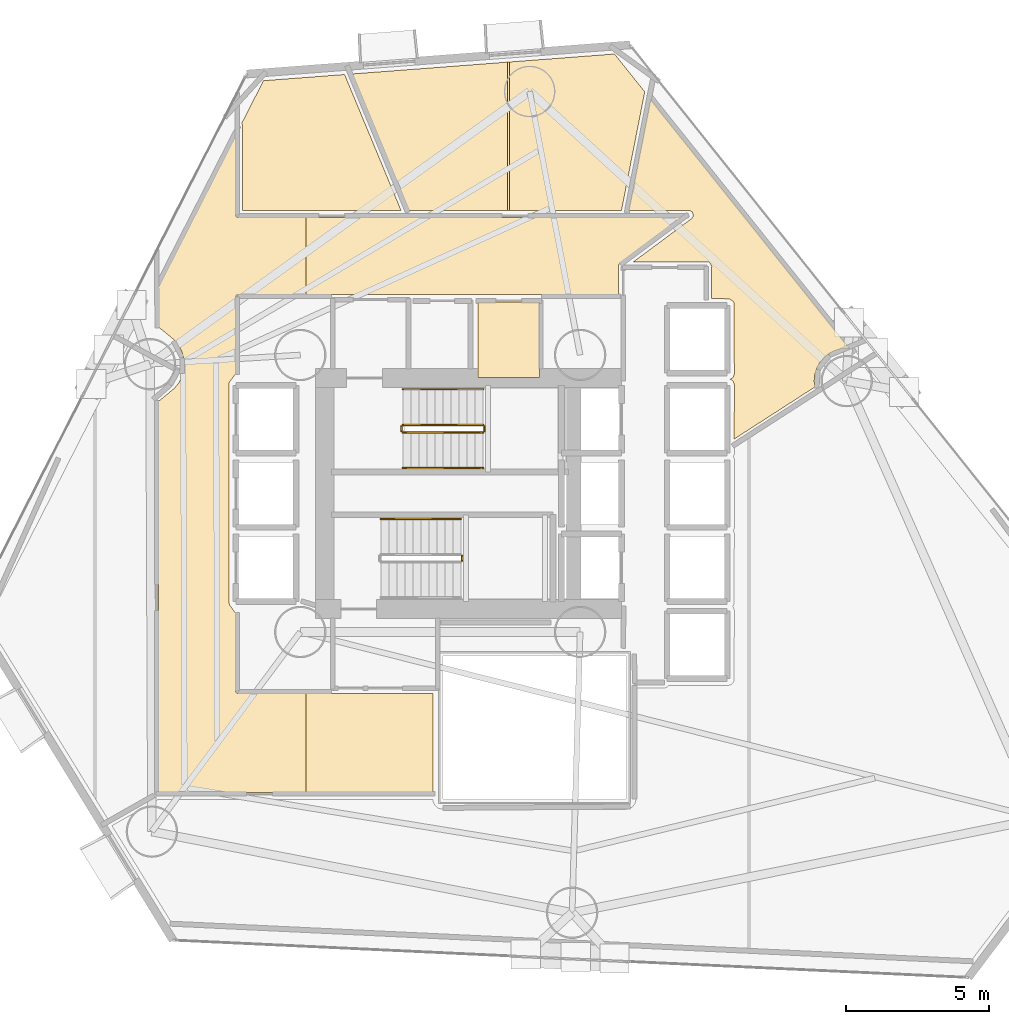
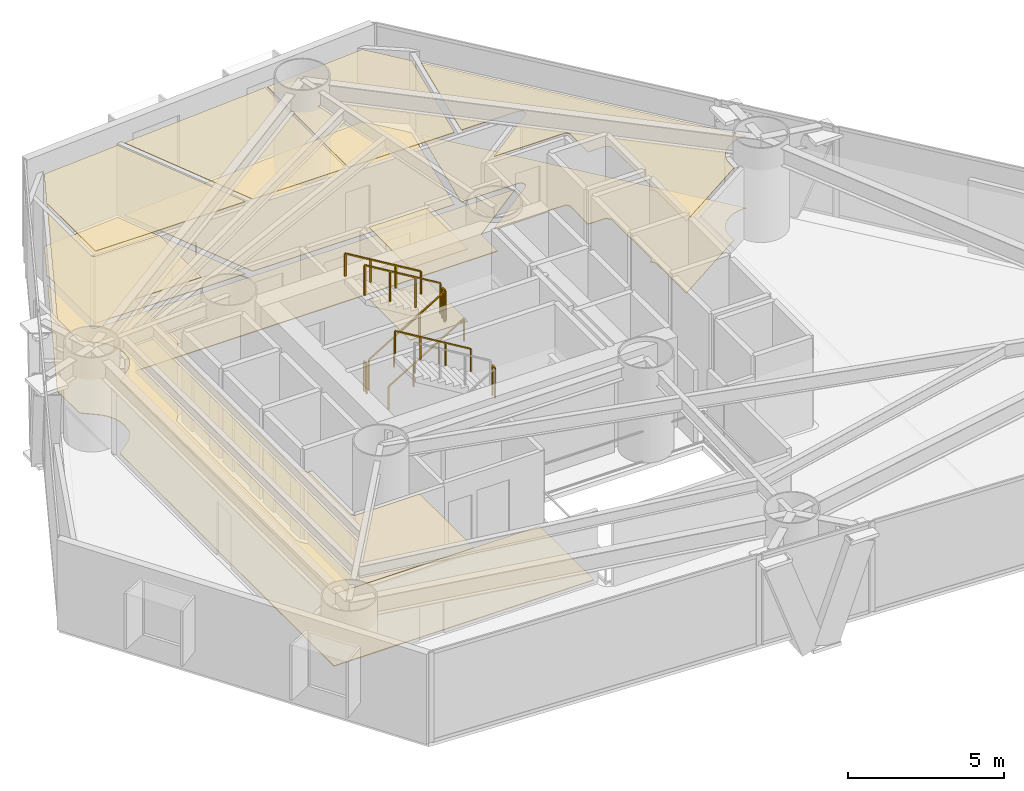
# One storey, part 22 of 23: 11 coverings, 8 railings.
"""IFC4 building model written with IfcOpenShell, lengths in metres."""

import ifcopenshell
import ifcopenshell.guid

model = None  # the IFC model being written
_history = None  # IfcOwnerHistory: only IFC2X3 demands one
_inside = {}  # id of a spatial element -> (the spatial element, [elements in it])
_under = {}  # id of a project, library or spatial element -> (it, [spatial elements below it])
_declared = {}  # id of a project -> (the project, [libraries it declares])
_typed = {}  # id of a type object -> (the type object, [elements of that type])
_made_of = {}  # id of a material, layer set ... -> (it, [elements and type objects made of it])


def new_model(schema):
    """Start an empty IFC model of exactly this schema.

    Asked for "IFC4X3", IfcOpenShell would pick the latest addendum, in which some entities
    have other attributes; the version numbers below select the first issue.
    IFC2X3 requires an IfcOwnerHistory on every rooted entity: one is made here for all.
    """
    global model, _history
    if schema == "IFC4X3":
        model = ifcopenshell.file(schema_version=(4, 3, 0, 0))
    else:
        model = ifcopenshell.file(schema=schema)
    _inside.clear()
    _under.clear()
    _declared.clear()
    _typed.clear()
    _made_of.clear()
    _history = None
    if model.schema == "IFC2X3":
        org = make("IfcOrganization", Name="unknown")
        user = make(
            "IfcPersonAndOrganization",
            ThePerson=make("IfcPerson", FamilyName="unknown"),
            TheOrganization=org,
        )
        app = make(
            "IfcApplication",
            ApplicationDeveloper=org,
            Version="unknown",
            ApplicationFullName="unknown",
            ApplicationIdentifier="unknown",
        )
        _history = make(
            "IfcOwnerHistory",
            OwningUser=user,
            OwningApplication=app,
            ChangeAction="ADDED",
            CreationDate=0,
        )
    return model


def make(cls, **values):
    """One entity of the class cls with the attributes given. An attribute that is None is left unset."""
    return model.create_entity(
        cls, **{name: value for name, value in values.items() if value is not None}
    )


def rooted(cls, **values):
    """An entity with a GlobalId (a new one), such as an element, a storey or a relation."""
    return make(cls, GlobalId=ifcopenshell.guid.new(), OwnerHistory=_history, **values)


def si_unit(unit_type, name, prefix=None):
    """IfcSIUnit, for example si_unit("LENGTHUNIT", "METRE", prefix="MILLI")."""
    return make("IfcSIUnit", UnitType=unit_type, Prefix=prefix, Name=name)


def assignment(units):
    """IfcUnitAssignment: the units of a project."""
    return None if units is None else make("IfcUnitAssignment", Units=units)


def point(xyz):
    """IfcCartesianPoint."""
    return None if xyz is None else make("IfcCartesianPoint", Coordinates=xyz)


def direction(xyz):
    """IfcDirection."""
    return None if xyz is None else make("IfcDirection", DirectionRatios=xyz)


def frame(location, z_axis=None, x_axis=None):
    """IfcAxis2Placement3D, a coordinate frame: its origin and axes. An axis left out is left unset."""
    return make(
        "IfcAxis2Placement3D",
        Location=point(location),
        Axis=direction(z_axis),
        RefDirection=direction(x_axis),
    )


def frame_2d(location, x_axis=None):
    """IfcAxis2Placement2D, a coordinate frame in the plane: its origin and x axis."""
    return make(
        "IfcAxis2Placement2D", Location=point(location), RefDirection=direction(x_axis)
    )


def origin():
    """The frame at (0, 0, 0) with its axes left unset."""
    return frame((0.0, 0.0, 0.0))


def origin_2d():
    """The frame at (0, 0) in the plane with its x axis left unset."""
    return frame_2d((0.0, 0.0))


def place(relative_to, where):
    """IfcLocalPlacement: puts the frame where relative to a parent placement (None: the world)."""
    return make(
        "IfcLocalPlacement", PlacementRelTo=relative_to, RelativePlacement=where
    )


def context(
    kind, dimensions, precision=None, world=None, true_north=None, identifier=None
):
    """IfcGeometricRepresentationContext, for example the 3D "Model" context."""
    return make(
        "IfcGeometricRepresentationContext",
        ContextIdentifier=identifier,
        ContextType=kind,
        CoordinateSpaceDimension=dimensions,
        Precision=precision,
        WorldCoordinateSystem=world,
        TrueNorth=true_north,
    )


def subcontext(parent, identifier, kind, view, scale=None):
    """IfcGeometricRepresentationSubContext, for example "Body" below "Model"."""
    return make(
        "IfcGeometricRepresentationSubContext",
        ContextIdentifier=identifier,
        ContextType=kind,
        ParentContext=parent,
        TargetScale=scale,
        TargetView=view,
    )


def project(units=None, contexts=None):
    """IfcProject with its units and contexts."""
    return rooted(
        "IfcProject",
        Name="project",
        RepresentationContexts=contexts,
        UnitsInContext=assignment(units),
    )


def spatial(cls, under=None, at=None, **own):
    """A site, building, storey or space (cls), placed at a placement, below another one or the project."""
    s = rooted(cls, ObjectPlacement=at, **own)
    if under is not None:
        _under.setdefault(under.id(), (under, []))[1].append(s)
    return s


def polyline(points):
    """IfcPolyline through the points."""
    return make("IfcPolyline", Points=[point(p) for p in points])


def profile(cls, at=None, kind="AREA", **sizes):
    """A parametric profile (cls). Its sizes go by their IFC names, for example OverallWidth=200.0."""
    return make(cls, ProfileType=kind, Position=at, **sizes)


def rectangle(**sizes):
    """IfcRectangleProfileDef."""
    return profile("IfcRectangleProfileDef", **sizes)


def outline(outer, holes=None, kind="AREA"):
    """IfcArbitraryClosedProfileDef: a profile drawn as a closed curve; with holes, ...WithVoids."""
    if holes is None:
        return make("IfcArbitraryClosedProfileDef", ProfileType=kind, OuterCurve=outer)
    return make(
        "IfcArbitraryProfileDefWithVoids",
        ProfileType=kind,
        OuterCurve=outer,
        InnerCurves=holes,
    )


def extrude(swept, where, along, depth):
    """IfcExtrudedAreaSolid: the profile swept, set in the frame where, extruded along a direction by depth."""
    return make(
        "IfcExtrudedAreaSolid",
        SweptArea=swept,
        Position=where,
        ExtrudedDirection=direction(along),
        Depth=depth,
    )


def shape(context_of_items, identifier, shape_type, items):
    """IfcShapeRepresentation: the items that make up one representation, for example the "Body"."""
    return make(
        "IfcShapeRepresentation",
        ContextOfItems=context_of_items,
        RepresentationIdentifier=identifier,
        RepresentationType=shape_type,
        Items=items,
    )


def material(Name=None, Category=None):
    """IfcMaterial."""
    return make("IfcMaterial", Name=Name, Category=Category)


def layer(
    of_material, thickness, ventilated=None, Name=None, Category=None, Priority=None
):
    """IfcMaterialLayer: one layer of a wall or slab, of a material (None: an air gap)."""
    return make(
        "IfcMaterialLayer",
        Material=of_material,
        LayerThickness=thickness,
        IsVentilated=ventilated,
        Name=Name,
        Category=Category,
        Priority=Priority,
    )


def layer_set(layers, Name=None):
    """IfcMaterialLayerSet."""
    return make("IfcMaterialLayerSet", MaterialLayers=layers, LayerSetName=Name)


def made_of(thing, what):
    """Note that an element or type object is made of a material, layer set ...; save() writes the relation."""
    if what is not None:
        _made_of.setdefault(what.id(), (what, []))[1].append(thing)
    return thing


def type_object(cls, material=None, **own):
    """A type object (cls), such as IfcWallType, which elements share."""
    return made_of(rooted(cls, **own), material)


def element(
    cls,
    number,
    at=None,
    inside=None,
    cuts=None,
    type_object=None,
    material=None,
    context=None,
    identifier="Body",
    shape_type=None,
    held_by="IfcProductDefinitionShape",
    body=None,
    shapes=None,
    **own,
):
    """One element of the class cls, such as IfcWall. Its Tag is "e" and its number.

    at: its placement. inside: the storey or other place that contains it. cuts: it is an
    opening in that element (IfcRelVoidsElement). A single representation is given by context,
    identifier, shape_type and body (its items); several are given by shapes. held_by: the class
    of the entity that holds the representations. save() writes the other relations.
    """
    e = rooted(cls, Tag="e%d" % number, ObjectPlacement=at, **own)
    if body is not None:
        shapes = [shape(context, identifier, shape_type, body)]
    if shapes is not None:
        e.Representation = make(held_by, Representations=shapes)
    if inside is not None:
        _inside.setdefault(inside.id(), (inside, []))[1].append(e)
    if cuts is not None:
        rooted(
            "IfcRelVoidsElement", RelatingBuildingElement=cuts, RelatedOpeningElement=e
        )
    if type_object is not None:
        _typed.setdefault(type_object.id(), (type_object, []))[1].append(e)
    return made_of(e, material)


def aggregate(whole, parts):
    """IfcRelAggregates: a whole, such as a stair, and the parts it consists of."""
    return rooted("IfcRelAggregates", RelatingObject=whole, RelatedObjects=parts)


def save(model, path):
    """Write the relations noted so far, then the file.

    IfcRelAggregates (storeys below a building ...), IfcRelContainedInSpatialStructure (elements
    in a storey), IfcRelDefinesByType, IfcRelAssociatesMaterial and IfcRelDeclares: one each for
    every whole, place, type object, material and project.
    """
    for whole, parts in _under.values():
        aggregate(whole, parts)
    for where, things in _inside.values():
        rooted(
            "IfcRelContainedInSpatialStructure",
            RelatedElements=things,
            RelatingStructure=where,
        )
    for kind, things in _typed.values():
        rooted("IfcRelDefinesByType", RelatedObjects=things, RelatingType=kind)
    for what, things in _made_of.values():
        rooted("IfcRelAssociatesMaterial", RelatedObjects=things, RelatingMaterial=what)
    for by, libraries in _declared.values():
        rooted("IfcRelDeclares", RelatingContext=by, RelatedDefinitions=libraries)
    model.write(path)


model = new_model("IFC4")

# Units and contexts
model_context = context("Model", 3, precision=1e-05, world=origin(), true_north=direction((0.0, 1.0)))
body_context = subcontext(model_context, "Body", "Model", "MODEL_VIEW")
ifc_project = project(units=[si_unit("LENGTHUNIT", "METRE"), si_unit("AREAUNIT", "SQUARE_METRE"), si_unit("VOLUMEUNIT", "CUBIC_METRE"), si_unit("PLANEANGLEUNIT", "RADIAN"), si_unit("MASSUNIT", "GRAM", prefix="KILO")], contexts=[model_context])

# Site, building, storey
site_placement = place(None, origin())
site = spatial("IfcSite", under=ifc_project, at=site_placement, CompositionType="ELEMENT")
building_placement = place(site_placement, origin())
building = spatial("IfcBuilding", under=site, at=building_placement, Name="Qianvela Tower", CompositionType="ELEMENT")
storey_placement = place(building_placement, frame((0.0, 0.0, 33.10009765625)))
storey = spatial("IfcBuildingStorey", under=building, at=storey_placement, Name="L07", CompositionType="ELEMENT", Elevation=33.10009765625)

# Coverings
ifc_material_1 = material(Name="Perforated Mineral Acoustic Ceiling Tile")
ifc_layer_1 = layer(ifc_material_1, 0.02490234375)
ifc_layer_set_1 = layer_set([ifc_layer_1], Name="Perforated Mineral Acoustic Ceiling Tile")
covering_type_1 = type_object("IfcCoveringType", Name="COV-CEIL-ACOUSTIC-25", PredefinedType="CEILING", material=ifc_layer_set_1)
covering_1_placement = place(storey_placement, frame((0.0, 0.0, 2.81494140625)))
element("IfcCovering", 1, at=covering_1_placement, inside=storey, type_object=covering_type_1, Name="L07 Acoustic Ceiling L07 Core Tea Pantry", PredefinedType="CEILING", context=body_context, shape_type="SweptSolid", body=[
    extrude(outline(polyline([(36.969970703125, 32.760009765625), (34.830078125, 32.760009765625), (34.830078125, 35.39990234375), (36.969970703125, 35.39990234375), (36.969970703125, 32.760009765625)])), origin(), (0.0, 0.0, 1.0), 0.02490234375),
])
covering_2_placement = place(storey_placement, frame((0.0, 0.0, 2.81494140625)))
element("IfcCovering", 2, at=covering_2_placement, inside=storey, type_object=covering_type_1, Name="L07 Acoustic Ceiling Bay 1 L07 Floor Corridor", PredefinedType="CEILING", context=body_context, shape_type="SweptSolid", body=[
    extrude(outline(polyline([(24.514892578125, 33.462158203125), (24.512939453125, 33.4697265625), (24.44921875, 33.6796875), (24.44677734375, 33.687255859375), (24.443359375, 33.6943359375), (24.33984375, 33.887939453125), (24.335693359375, 33.894775390625), (24.3310546875, 33.90087890625), (24.19189453125, 34.07080078125), (24.1865234375, 34.076416015625), (24.1806640625, 34.081787109375), (23.635498046875, 34.529296875), (23.630126953125, 35.9462890625), (26.340087890625, 41.255615234375), (26.340087890625, 38.449951171875), (26.34033203125, 38.442138671875), (26.341552734375, 38.434326171875), (26.343505859375, 38.4267578125), (26.34619140625, 38.41943359375), (26.349365234375, 38.412353515625), (26.353515625, 38.405517578125), (26.358154296875, 38.399169921875), (26.36328125, 38.393310546875), (26.369140625, 38.38818359375), (26.37548828125, 38.383544921875), (26.38232421875, 38.37939453125), (26.389404296875, 38.376220703125), (26.396728515625, 38.373291015625), (26.404296875, 38.37158203125), (26.412109375, 38.370361328125), (26.419921875, 38.3701171875), (28.799560546875, 38.3701171875), (28.799560546875, 35.659912109375), (26.419921875, 35.659912109375), (26.412109375, 35.65966796875), (26.404296875, 35.658447265625), (26.396728515625, 35.656494140625), (26.389404296875, 35.65380859375), (26.38232421875, 35.650634765625), (26.37548828125, 35.646484375), (26.369140625, 35.641845703125), (26.36328125, 35.63671875), (26.358154296875, 35.630859375), (26.353515625, 35.62451171875), (26.349365234375, 35.61767578125), (26.34619140625, 35.610595703125), (26.343505859375, 35.603271484375), (26.341552734375, 35.595703125), (26.34033203125, 35.587890625), (26.340087890625, 35.580078125), (26.340087890625, 32.89599609375), (26.11572265625, 32.593505859375), (26.11181640625, 32.587646484375), (26.108154296875, 32.581298828125), (26.105224609375, 32.574462890625), (26.10302734375, 32.567626953125), (26.101318359375, 32.560546875), (26.100341796875, 32.55322265625), (26.10009765625, 32.5458984375), (26.10009765625, 24.89990234375), (26.100341796875, 24.89208984375), (26.1015625, 24.884521484375), (26.103515625, 24.876708984375), (26.126953125, 24.799072265625), (26.12939453125, 24.79248046875), (26.132080078125, 24.786376953125), (26.135498046875, 24.7802734375), (26.139404296875, 24.774658203125), (26.340087890625, 24.50390625), (26.340087890625, 21.780029296875), (26.34033203125, 21.772216796875), (26.341552734375, 21.764404296875), (26.343505859375, 21.7568359375), (26.34619140625, 21.74951171875), (26.349365234375, 21.7421875), (26.353515625, 21.735595703125), (26.358154296875, 21.729248046875), (26.36328125, 21.723388671875), (26.369140625, 21.71826171875), (26.37548828125, 21.71337890625), (26.38232421875, 21.70947265625), (26.389404296875, 21.7060546875), (26.396728515625, 21.703369140625), (26.404296875, 21.701416015625), (26.412109375, 21.700439453125), (26.419921875, 21.699951171875), (28.799560546875, 21.699951171875), (28.799560546875, 18.22998046875), (23.6298828125, 18.22998046875), (23.6298828125, 31.922119140625), (24.1806640625, 32.374267578125), (24.1865234375, 32.37939453125), (24.19189453125, 32.38525390625), (24.3310546875, 32.554931640625), (24.335693359375, 32.561279296875), (24.33984375, 32.568115234375), (24.49609375, 32.8603515625), (24.49951171875, 32.867431640625), (24.502197265625, 32.875), (24.50390625, 32.882568359375), (24.505126953125, 32.890380859375), (24.53759765625, 33.22021484375), (24.5380859375, 33.22802734375), (24.53759765625, 33.23583984375), (24.51611328125, 33.454345703125), (24.514892578125, 33.462158203125)])), origin(), (0.0, 0.0, 1.0), 0.02490234375),
])
covering_3_placement = place(storey_placement, frame((0.0, 0.0, 2.81494140625)))
element("IfcCovering", 3, at=covering_3_placement, inside=storey, type_object=covering_type_1, Name="L07 Acoustic Ceiling Floor Dining Kitchen L07-03", PredefinedType="CEILING", context=body_context, shape_type="SweptSolid", body=[
    extrude(outline(polyline([(43.640380859375, 32.699951171875), (43.722412109375, 32.739013671875), (43.729248046875, 32.74267578125), (43.73583984375, 32.746826171875), (43.741943359375, 32.751953125), (43.74755859375, 32.757568359375), (43.75244140625, 32.763427734375), (43.7568359375, 32.77001953125), (43.760498046875, 32.777099609375), (43.763427734375, 32.7841796875), (43.79541015625, 32.873046875), (43.79736328125, 32.879638671875), (43.798828125, 32.88671875), (43.7998046875, 32.8935546875), (43.800048828125, 32.900390625), (43.783447265625, 35.366455078125), (43.782958984375, 35.374267578125), (43.78173828125, 35.382080078125), (43.77978515625, 35.3896484375), (43.77734375, 35.39697265625), (43.77392578125, 35.40380859375), (43.77001953125, 35.41064453125), (43.76513671875, 35.4169921875), (43.760009765625, 35.422607421875), (43.754150390625, 35.427978515625), (43.747802734375, 35.4326171875), (43.63818359375, 35.505859375), (43.63134765625, 35.510009765625), (43.62451171875, 35.51318359375), (43.616943359375, 35.515869140625), (43.609375, 35.517822265625), (43.6015625, 35.518798828125), (43.59375, 35.519287109375), (43.0, 35.52001953125), (43.010009765625, 36.6494140625), (43.009765625, 36.6572265625), (43.008544921875, 36.6650390625), (43.006591796875, 36.6728515625), (43.00390625, 36.680419921875), (43.00048828125, 36.6875), (42.99658203125, 36.6943359375), (42.947021484375, 36.768310546875), (42.9423828125, 36.774658203125), (42.937255859375, 36.780517578125), (42.931396484375, 36.78564453125), (42.925048828125, 36.790283203125), (42.91845703125, 36.79443359375), (42.911376953125, 36.7978515625), (42.904052734375, 36.80029296875), (42.896484375, 36.80224609375), (42.888671875, 36.803466796875), (42.880859375, 36.803955078125), (40.26220703125, 36.8095703125), (42.298583984375, 38.321533203125), (42.3046875, 38.32666015625), (42.310302734375, 38.332275390625), (42.315185546875, 38.33837890625), (42.319580078125, 38.34521484375), (42.351318359375, 38.39892578125), (42.35498046875, 38.40576171875), (42.357666015625, 38.41259765625), (42.35986328125, 38.419921875), (42.361328125, 38.42724609375), (42.3623046875, 38.434814453125), (42.3623046875, 38.4423828125), (42.36181640625, 38.449951171875), (42.3603515625, 38.45751953125), (42.3583984375, 38.464599609375), (42.33642578125, 38.53076171875), (42.333740234375, 38.537841796875), (42.330322265625, 38.544677734375), (42.326416015625, 38.551025390625), (42.32177734375, 38.55712890625), (42.316650390625, 38.5625), (42.31103515625, 38.567626953125), (42.304931640625, 38.572265625), (42.298583984375, 38.576171875), (42.291748046875, 38.579345703125), (42.234375, 38.603759765625), (42.226806640625, 38.6064453125), (42.218994140625, 38.6083984375), (42.211181640625, 38.609619140625), (42.203125, 38.610107421875), (40.097412109375, 38.610107421875), (40.86328125, 42.51513671875), (47.855712890625, 33.758056640625), (47.749267578125, 33.77587890625), (47.7421875, 33.77685546875), (47.735107421875, 33.777099609375), (47.728271484375, 33.776611328125), (47.521484375, 33.756103515625), (47.513671875, 33.755126953125), (47.506103515625, 33.753173828125), (47.30712890625, 33.69287109375), (47.2998046875, 33.690185546875), (47.29248046875, 33.68701171875), (47.109375, 33.5888671875), (47.1025390625, 33.5849609375), (47.09619140625, 33.580078125), (46.935791015625, 33.448486328125), (46.929931640625, 33.443115234375), (46.924560546875, 33.437255859375), (46.792724609375, 33.276611328125), (46.7880859375, 33.2705078125), (46.7841796875, 33.263671875), (46.68603515625, 33.080322265625), (46.682861328125, 33.0732421875), (46.68017578125, 33.06591796875), (46.619873046875, 32.866943359375), (46.617919921875, 32.859375), (46.61669921875, 32.8515625), (46.596435546875, 32.644775390625), (46.595947265625, 32.6357421875), (46.5966796875, 32.62646484375), (46.622802734375, 32.4287109375), (43.79541015625, 30.605712890625), (43.800048828125, 32.499755859375), (43.7998046875, 32.506591796875), (43.798828125, 32.513671875), (43.79736328125, 32.520263671875), (43.79541015625, 32.527099609375), (43.763427734375, 32.61572265625), (43.760498046875, 32.623046875), (43.7568359375, 32.6298828125), (43.75244140625, 32.636474609375), (43.74755859375, 32.642578125), (43.741943359375, 32.648193359375), (43.73583984375, 32.653076171875), (43.729248046875, 32.657470703125), (43.722412109375, 32.6611328125), (43.640380859375, 32.699951171875)])), origin(), (0.0, 0.0, 1.0), 0.02490234375),
])
covering_4_placement = place(storey_placement, frame((0.0, 0.0, 2.81494140625)))
element("IfcCovering", 4, at=covering_4_placement, inside=storey, type_object=covering_type_1, Name="L07 Acoustic Ceiling Bay 1 Social Galley Kitchen L07-04", PredefinedType="CEILING", context=body_context, shape_type="SweptSolid", body=[
    extrude(outline(polyline([(35.850830078125, 43.805908203125), (35.850830078125, 38.610107421875), (32.39501953125, 38.610107421875), (30.40869140625, 43.39208984375), (35.850830078125, 43.805908203125)])), origin(), (0.0, 0.0, 1.0), 0.02490234375),
])
covering_5_placement = place(storey_placement, frame((0.0, 0.0, 2.81494140625)))
element("IfcCovering", 5, at=covering_5_placement, inside=storey, type_object=covering_type_1, Name="L07 Acoustic Ceiling Bay 2 Social Galley Kitchen L07-04", PredefinedType="CEILING", context=body_context, shape_type="SweptSolid", body=[
    extrude(outline(polyline([(39.604736328125, 44.091064453125), (40.66357421875, 42.76513671875), (39.8486328125, 38.610107421875), (35.930908203125, 38.610107421875), (35.930908203125, 43.811767578125), (39.604736328125, 44.091064453125)])), origin(), (0.0, 0.0, 1.0), 0.02490234375),
])
covering_6_placement = place(storey_placement, frame((0.0, 0.0, 2.81494140625)))
element("IfcCovering", 6, at=covering_6_placement, inside=storey, type_object=covering_type_1, Name="L07 Acoustic Ceiling Shared Communal Kitchen L07-05", PredefinedType="CEILING", context=body_context, shape_type="SweptSolid", body=[
    extrude(outline(polyline([(26.580078125, 41.588134765625), (26.57958984375, 41.595458984375), (26.57861328125, 41.602783203125), (26.576904296875, 41.60986328125), (26.57470703125, 41.616943359375), (26.57177734375, 41.62353515625), (26.568115234375, 41.6298828125), (26.548095703125, 41.6630859375), (27.310302734375, 43.15673828125), (30.152587890625, 43.372802734375), (32.130615234375, 38.610107421875), (26.580078125, 38.610107421875), (26.580078125, 41.588134765625)])), origin(), (0.0, 0.0, 1.0), 0.02490234375),
])
ifc_material_2 = material(Name="Engineered Acoustic Oak Timber Flooring", Category="wood")
ifc_layer_2 = layer(ifc_material_2, 0.02001953125)
ifc_layer_set_2 = layer_set([ifc_layer_2], Name="Engineered Acoustic Oak Timber Flooring")
covering_type_2 = type_object("IfcCoveringType", Name="COV-FLOOR-OAK-20", PredefinedType="FLOORING", material=ifc_layer_set_2)
covering_7_placement = place(storey_placement, origin())
element("IfcCovering", 7, at=covering_7_placement, inside=storey, type_object=covering_type_2, Name="L07 Finish Flooring L07 Core Tea Pantry", PredefinedType="FLOORING", context=body_context, shape_type="SweptSolid", body=[
    extrude(outline(polyline([(36.969970703125, 32.760009765625), (34.830078125, 32.760009765625), (34.830078125, 35.39990234375), (36.969970703125, 35.39990234375), (36.969970703125, 32.760009765625)])), origin(), (0.0, 0.0, 1.0), 0.02001953125),
])
covering_8_placement = place(storey_placement, origin())
element("IfcCovering", 8, at=covering_8_placement, inside=storey, type_object=covering_type_2, Name="L07 Finish Flooring Floor Dining Kitchen L07-03", PredefinedType="FLOORING", context=body_context, shape_type="SweptSolid", body=[
    extrude(outline(polyline([(43.640380859375, 32.699951171875), (43.722412109375, 32.739013671875), (43.729248046875, 32.74267578125), (43.73583984375, 32.746826171875), (43.741943359375, 32.751953125), (43.74755859375, 32.757568359375), (43.75244140625, 32.763427734375), (43.7568359375, 32.77001953125), (43.760498046875, 32.777099609375), (43.763427734375, 32.7841796875), (43.79541015625, 32.873046875), (43.79736328125, 32.879638671875), (43.798828125, 32.88671875), (43.7998046875, 32.8935546875), (43.800048828125, 32.900390625), (43.783447265625, 35.366455078125), (43.782958984375, 35.374267578125), (43.78173828125, 35.382080078125), (43.77978515625, 35.3896484375), (43.77734375, 35.39697265625), (43.77392578125, 35.40380859375), (43.77001953125, 35.41064453125), (43.76513671875, 35.4169921875), (43.760009765625, 35.422607421875), (43.754150390625, 35.427978515625), (43.747802734375, 35.4326171875), (43.63818359375, 35.505859375), (43.63134765625, 35.510009765625), (43.62451171875, 35.51318359375), (43.616943359375, 35.515869140625), (43.609375, 35.517822265625), (43.6015625, 35.518798828125), (43.59375, 35.519287109375), (43.0, 35.52001953125), (43.010009765625, 36.6494140625), (43.009765625, 36.6572265625), (43.008544921875, 36.6650390625), (43.006591796875, 36.6728515625), (43.00390625, 36.680419921875), (43.00048828125, 36.6875), (42.99658203125, 36.6943359375), (42.947021484375, 36.768310546875), (42.9423828125, 36.774658203125), (42.937255859375, 36.780517578125), (42.931396484375, 36.78564453125), (42.925048828125, 36.790283203125), (42.91845703125, 36.79443359375), (42.911376953125, 36.7978515625), (42.904052734375, 36.80029296875), (42.896484375, 36.80224609375), (42.888671875, 36.803466796875), (42.880859375, 36.803955078125), (40.26220703125, 36.8095703125), (42.298583984375, 38.321533203125), (42.3046875, 38.32666015625), (42.310302734375, 38.332275390625), (42.315185546875, 38.33837890625), (42.319580078125, 38.34521484375), (42.351318359375, 38.39892578125), (42.35498046875, 38.40576171875), (42.357666015625, 38.41259765625), (42.35986328125, 38.419921875), (42.361328125, 38.42724609375), (42.3623046875, 38.434814453125), (42.3623046875, 38.4423828125), (42.36181640625, 38.449951171875), (42.3603515625, 38.45751953125), (42.3583984375, 38.464599609375), (42.33642578125, 38.53076171875), (42.333740234375, 38.537841796875), (42.330322265625, 38.544677734375), (42.326416015625, 38.551025390625), (42.32177734375, 38.55712890625), (42.316650390625, 38.5625), (42.31103515625, 38.567626953125), (42.304931640625, 38.572265625), (42.298583984375, 38.576171875), (42.291748046875, 38.579345703125), (42.234375, 38.603759765625), (42.226806640625, 38.6064453125), (42.218994140625, 38.6083984375), (42.211181640625, 38.609619140625), (42.203125, 38.610107421875), (40.097412109375, 38.610107421875), (40.86328125, 42.51513671875), (47.855712890625, 33.758056640625), (47.749267578125, 33.77587890625), (47.7421875, 33.77685546875), (47.735107421875, 33.777099609375), (47.728271484375, 33.776611328125), (47.521484375, 33.756103515625), (47.513671875, 33.755126953125), (47.506103515625, 33.753173828125), (47.30712890625, 33.69287109375), (47.2998046875, 33.690185546875), (47.29248046875, 33.68701171875), (47.109375, 33.5888671875), (47.1025390625, 33.5849609375), (47.09619140625, 33.580078125), (46.935791015625, 33.448486328125), (46.929931640625, 33.443115234375), (46.924560546875, 33.437255859375), (46.792724609375, 33.276611328125), (46.7880859375, 33.2705078125), (46.7841796875, 33.263671875), (46.68603515625, 33.080322265625), (46.682861328125, 33.0732421875), (46.68017578125, 33.06591796875), (46.619873046875, 32.866943359375), (46.617919921875, 32.859375), (46.61669921875, 32.8515625), (46.596435546875, 32.644775390625), (46.595947265625, 32.6357421875), (46.5966796875, 32.62646484375), (46.622802734375, 32.4287109375), (43.79541015625, 30.605712890625), (43.800048828125, 32.499755859375), (43.7998046875, 32.506591796875), (43.798828125, 32.513671875), (43.79736328125, 32.520263671875), (43.79541015625, 32.527099609375), (43.763427734375, 32.61572265625), (43.760498046875, 32.623046875), (43.7568359375, 32.6298828125), (43.75244140625, 32.636474609375), (43.74755859375, 32.642578125), (43.741943359375, 32.648193359375), (43.73583984375, 32.653076171875), (43.729248046875, 32.657470703125), (43.722412109375, 32.6611328125), (43.640380859375, 32.699951171875)])), origin(), (0.0, 0.0, 1.0), 0.02001953125),
])
covering_9_placement = place(storey_placement, origin())
element("IfcCovering", 9, at=covering_9_placement, inside=storey, type_object=covering_type_2, Name="L07 Finish Flooring Social Galley Kitchen L07-04", PredefinedType="FLOORING", context=body_context, shape_type="SweptSolid", body=[
    extrude(outline(polyline([(30.40869140625, 43.39208984375), (39.604736328125, 44.091064453125), (40.66357421875, 42.76513671875), (39.8486328125, 38.610107421875), (32.39501953125, 38.610107421875), (30.40869140625, 43.39208984375)])), origin(), (0.0, 0.0, 1.0), 0.02001953125),
])
covering_10_placement = place(storey_placement, origin())
element("IfcCovering", 10, at=covering_10_placement, inside=storey, type_object=covering_type_2, Name="L07 Finish Flooring Shared Communal Kitchen L07-05", PredefinedType="FLOORING", context=body_context, shape_type="SweptSolid", body=[
    extrude(outline(polyline([(26.580078125, 41.588134765625), (26.57958984375, 41.595458984375), (26.57861328125, 41.602783203125), (26.576904296875, 41.60986328125), (26.57470703125, 41.616943359375), (26.57177734375, 41.62353515625), (26.568115234375, 41.6298828125), (26.548095703125, 41.6630859375), (27.310302734375, 43.15673828125), (30.152587890625, 43.372802734375), (32.130615234375, 38.610107421875), (26.580078125, 38.610107421875), (26.580078125, 41.588134765625)])), origin(), (0.0, 0.0, 1.0), 0.02001953125),
])
ifc_material_3 = material(Name="Honed Stone Terrazzo Flooring", Category="masonry")
ifc_layer_3 = layer(ifc_material_3, 0.030029296875)
ifc_layer_set_3 = layer_set([ifc_layer_3], Name="Honed Stone Terrazzo Flooring")
covering_type_3 = type_object("IfcCoveringType", Name="COV-FLOOR-TERRAZZO-30", PredefinedType="FLOORING", material=ifc_layer_set_3)
covering_11_placement = place(storey_placement, origin())
element("IfcCovering", 11, at=covering_11_placement, inside=storey, type_object=covering_type_3, Name="L07 Finish Flooring L07 Floor Corridor", PredefinedType="FLOORING", context=body_context, shape_type="SweptSolid", body=[
    extrude(outline(polyline([(24.51611328125, 33.454345703125), (24.514892578125, 33.462158203125), (24.512939453125, 33.4697265625), (24.44921875, 33.6796875), (24.44677734375, 33.687255859375), (24.443359375, 33.6943359375), (24.33984375, 33.887939453125), (24.335693359375, 33.894775390625), (24.3310546875, 33.90087890625), (24.19189453125, 34.07080078125), (24.1865234375, 34.076416015625), (24.1806640625, 34.081787109375), (23.635498046875, 34.529296875), (23.630126953125, 35.9462890625), (26.340087890625, 41.255615234375), (26.340087890625, 38.449951171875), (26.34033203125, 38.442138671875), (26.341552734375, 38.434326171875), (26.343505859375, 38.4267578125), (26.34619140625, 38.41943359375), (26.349365234375, 38.412353515625), (26.353515625, 38.405517578125), (26.358154296875, 38.399169921875), (26.36328125, 38.393310546875), (26.369140625, 38.38818359375), (26.37548828125, 38.383544921875), (26.38232421875, 38.37939453125), (26.389404296875, 38.376220703125), (26.396728515625, 38.373291015625), (26.404296875, 38.37158203125), (26.412109375, 38.370361328125), (26.419921875, 38.3701171875), (41.961181640625, 38.3701171875), (39.784423828125, 36.753662109375), (39.778076171875, 36.748291015625), (39.772216796875, 36.742431640625), (39.76708984375, 36.736083984375), (39.7626953125, 36.729248046875), (39.759033203125, 36.721923828125), (39.756103515625, 36.71435546875), (39.75390625, 36.70654296875), (39.752685546875, 36.698486328125), (39.752197265625, 36.690185546875), (39.739013671875, 35.659912109375), (26.419921875, 35.659912109375), (26.412109375, 35.65966796875), (26.404296875, 35.658447265625), (26.396728515625, 35.656494140625), (26.389404296875, 35.65380859375), (26.38232421875, 35.650634765625), (26.37548828125, 35.646484375), (26.369140625, 35.641845703125), (26.36328125, 35.63671875), (26.358154296875, 35.630859375), (26.353515625, 35.62451171875), (26.349365234375, 35.61767578125), (26.34619140625, 35.610595703125), (26.343505859375, 35.603271484375), (26.341552734375, 35.595703125), (26.34033203125, 35.587890625), (26.340087890625, 35.580078125), (26.340087890625, 32.89599609375), (26.11572265625, 32.593505859375), (26.11181640625, 32.587646484375), (26.108154296875, 32.581298828125), (26.105224609375, 32.574462890625), (26.10302734375, 32.567626953125), (26.101318359375, 32.560546875), (26.100341796875, 32.55322265625), (26.10009765625, 32.5458984375), (26.10009765625, 24.89990234375), (26.100341796875, 24.89208984375), (26.1015625, 24.884521484375), (26.103515625, 24.876708984375), (26.126953125, 24.799072265625), (26.12939453125, 24.79248046875), (26.132080078125, 24.786376953125), (26.135498046875, 24.7802734375), (26.139404296875, 24.774658203125), (26.340087890625, 24.50390625), (26.340087890625, 21.780029296875), (26.34033203125, 21.772216796875), (26.341552734375, 21.764404296875), (26.343505859375, 21.7568359375), (26.34619140625, 21.74951171875), (26.349365234375, 21.7421875), (26.353515625, 21.735595703125), (26.358154296875, 21.729248046875), (26.36328125, 21.723388671875), (26.369140625, 21.71826171875), (26.37548828125, 21.71337890625), (26.38232421875, 21.70947265625), (26.389404296875, 21.7060546875), (26.396728515625, 21.703369140625), (26.404296875, 21.701416015625), (26.412109375, 21.700439453125), (26.419921875, 21.699951171875), (33.239990234375, 21.699951171875), (33.239990234375, 18.22998046875), (23.6298828125, 18.22998046875), (23.6298828125, 31.922119140625), (24.1806640625, 32.374267578125), (24.1865234375, 32.37939453125), (24.19189453125, 32.38525390625), (24.3310546875, 32.554931640625), (24.335693359375, 32.561279296875), (24.33984375, 32.568115234375), (24.49609375, 32.8603515625), (24.49951171875, 32.867431640625), (24.502197265625, 32.875), (24.50390625, 32.882568359375), (24.505126953125, 32.890380859375), (24.53759765625, 33.22021484375), (24.5380859375, 33.22802734375), (24.53759765625, 33.23583984375), (24.51611328125, 33.454345703125)])), origin(), (0.0, 0.0, 1.0), 0.02978515625),
])

# Railings
ifc_material_4 = material(Name="Painted Tubular Steel Q355B", Category="steel")
railing_type_1 = type_object("IfcRailingType", Name="RL-STAIR-GUARD-1200", PredefinedType="GUARDRAIL", material=ifc_material_4)
railing_1_placement = place(storey_placement, frame((32.199951171875, 30.840087890625, 0.16796875)))
element("IfcRailing", 12, at=railing_1_placement, inside=storey, type_object=railing_type_1, Name="L07 ST-1 stair guard 1", PredefinedType="GUARDRAIL", context=body_context, shape_type="SweptSolid", body=[
    extrude(rectangle(XDim=0.050048828125, YDim=0.0400390625, at=origin_2d()), frame((0.0, 0.0, 1.179931640625), z_axis=(0.857242210791, 0.0, 0.514913383045), x_axis=(0.0, 1.0, 0.0)), (0.0, 0.0, 1.0), 3.266357421875),
    extrude(rectangle(XDim=0.050048828125, YDim=0.050048828125, at=origin_2d()), origin(), (0.0, 0.0, 1.0), 1.159912109375),
    extrude(rectangle(XDim=0.050048828125, YDim=0.050048828125, at=origin_2d()), frame((0.933349609375, 0.0, 0.560546875)), (0.0, 0.0, 1.0), 1.159912109375),
    extrude(rectangle(XDim=0.050048828125, YDim=0.050048828125, at=origin_2d()), frame((1.86669921875, 0.0, 1.121337890625)), (0.0, 0.0, 1.0), 1.159912109375),
    extrude(rectangle(XDim=0.050048828125, YDim=0.050048828125, at=origin_2d()), frame((2.800048828125, 0.0, 1.681884765625)), (0.0, 0.0, 1.0), 1.159912109375),
])
railing_2_placement = place(storey_placement, frame((35.050048828125, 30.889892578125, 1.849853515625)))
element("IfcRailing", 13, at=railing_2_placement, inside=storey, type_object=railing_type_1, Name="L07 ST-1 stair guard 2", PredefinedType="GUARDRAIL", context=body_context, shape_type="SweptSolid", body=[
    extrude(rectangle(XDim=0.050048828125, YDim=0.0400390625, at=origin_2d()), frame((0.0, 0.0, 1.179931640625), z_axis=(0.0, 1.0, 0.0), x_axis=(-1.0, 0.0, 0.0)), (0.0, 0.0, 1.0), 0.16015625),
    extrude(rectangle(XDim=0.050048828125, YDim=0.050048828125, at=origin_2d()), origin(), (0.0, 0.0, 1.0), 1.159912109375),
    extrude(rectangle(XDim=0.050048828125, YDim=0.050048828125, at=origin_2d()), frame((0.0, 0.16015625, 0.0)), (0.0, 0.0, 1.0), 1.159912109375),
])
railing_3_placement = place(storey_placement, frame((35.0, 31.10009765625, 2.01806640625)))
element("IfcRailing", 14, at=railing_3_placement, inside=storey, type_object=railing_type_1, Name="L07 ST-1 stair guard 3", PredefinedType="GUARDRAIL", context=body_context, shape_type="SweptSolid", body=[
    extrude(rectangle(XDim=0.050048828125, YDim=0.0400390625, at=origin_2d()), frame((0.0, 0.0, 1.179931640625), z_axis=(-0.857242210791, 0.0, 0.514913383045), x_axis=(0.0, -1.0, 0.0)), (0.0, 0.0, 1.0), 3.266357421875),
    extrude(rectangle(XDim=0.050048828125, YDim=0.050048828125, at=origin_2d()), origin(), (0.0, 0.0, 1.0), 1.159912109375),
    extrude(rectangle(XDim=0.050048828125, YDim=0.050048828125, at=origin_2d()), frame((-0.933349609375, 0.0, 0.560546875)), (0.0, 0.0, 1.0), 1.159912109375),
    extrude(rectangle(XDim=0.050048828125, YDim=0.050048828125, at=origin_2d()), frame((-1.86669921875, 0.0, 1.121337890625)), (0.0, 0.0, 1.0), 1.159912109375),
    extrude(rectangle(XDim=0.050048828125, YDim=0.050048828125, at=origin_2d()), frame((-2.800048828125, 0.0, 1.681884765625)), (0.0, 0.0, 1.0), 1.159912109375),
])
railing_4_placement = place(storey_placement, frame((32.14990234375, 30.889892578125, 0.0)))
element("IfcRailing", 15, at=railing_4_placement, inside=storey, type_object=railing_type_1, Name="L07 ST-1 stair guard 4", PredefinedType="GUARDRAIL", context=body_context, shape_type="SweptSolid", body=[
    extrude(rectangle(XDim=0.050048828125, YDim=0.0400390625, at=origin_2d()), frame((0.0, 0.0, 1.179931640625), z_axis=(0.0, 1.0, 0.0), x_axis=(-1.0, 0.0, 0.0)), (0.0, 0.0, 1.0), 0.16015625),
    extrude(rectangle(XDim=0.050048828125, YDim=0.050048828125, at=origin_2d()), origin(), (0.0, 0.0, 1.0), 1.159912109375),
    extrude(rectangle(XDim=0.050048828125, YDim=0.050048828125, at=origin_2d()), frame((0.0, 0.16015625, 0.0)), (0.0, 0.0, 1.0), 1.159912109375),
])
railing_5_placement = place(storey_placement, frame((34.27001953125, 26.35009765625, 1.849853515625)))
element("IfcRailing", 16, at=railing_5_placement, inside=storey, type_object=railing_type_1, Name="L07 ST-2 stair guard 2", PredefinedType="GUARDRAIL", context=body_context, shape_type="SweptSolid", body=[
    extrude(rectangle(XDim=0.050048828125, YDim=0.0400390625, at=origin_2d()), frame((0.0, 0.0, 1.179931640625), z_axis=(0.0, 1.0, 0.0), x_axis=(-1.0, 0.0, 0.0)), (0.0, 0.0, 1.0), 0.159912109375),
    extrude(rectangle(XDim=0.050048828125, YDim=0.050048828125, at=origin_2d()), origin(), (0.0, 0.0, 1.0), 1.159912109375),
    extrude(rectangle(XDim=0.050048828125, YDim=0.050048828125, at=origin_2d()), frame((0.0, 0.159912109375, 0.0)), (0.0, 0.0, 1.0), 1.159912109375),
])
ifc_material_5 = material(Name="Brushed Stainless Steel 304", Category="steel")
railing_type_2 = type_object("IfcRailingType", Name="RL-STAIR-HANDRAIL-900", PredefinedType="HANDRAIL", material=ifc_material_5)
railing_6_placement = place(storey_placement, frame((32.199951171875, 29.590087890625, 0.16796875)))
element("IfcRailing", 17, at=railing_6_placement, inside=storey, type_object=railing_type_2, Name="L07 ST-1 stair handrail 1", PredefinedType="HANDRAIL", context=body_context, shape_type="SweptSolid", body=[
    extrude(rectangle(XDim=0.050048828125, YDim=0.0400390625, at=origin_2d()), frame((0.0, 0.0, 0.8798828125), z_axis=(0.857242210791, 0.0, 0.514913383045), x_axis=(0.0, 1.0, 0.0)), (0.0, 0.0, 1.0), 3.266357421875),
    extrude(rectangle(XDim=0.050048828125, YDim=0.050048828125, at=origin_2d()), origin(), (0.0, 0.0, 1.0), 0.85986328125),
    extrude(rectangle(XDim=0.050048828125, YDim=0.050048828125, at=origin_2d()), frame((0.933349609375, 0.0, 0.560546875)), (0.0, 0.0, 1.0), 0.85986328125),
    extrude(rectangle(XDim=0.050048828125, YDim=0.050048828125, at=origin_2d()), frame((1.86669921875, 0.0, 1.121337890625)), (0.0, 0.0, 1.0), 0.85986328125),
    extrude(rectangle(XDim=0.050048828125, YDim=0.050048828125, at=origin_2d()), frame((2.800048828125, 0.0, 1.681884765625)), (0.0, 0.0, 1.0), 0.85986328125),
])
for number, where, name in (
    (18, (35.0, 32.35009765625, 2.01806640625), "L07 ST-1 stair handrail 2"),
    (19, (34.219970703125, 27.81005859375, 2.01806640625), "L07 ST-2 stair handrail 2"),
):
    element("IfcRailing", number, at=place(storey_placement, frame(where)), inside=storey, type_object=railing_type_2, Name=name, PredefinedType="HANDRAIL", context=body_context, shape_type="SweptSolid", body=[
        extrude(rectangle(XDim=0.050048828125, YDim=0.0400390625, at=origin_2d()), frame((0.0, 0.0, 0.8798828125), z_axis=(-0.857242210791, 0.0, 0.514913383045), x_axis=(0.0, -1.0, 0.0)), (0.0, 0.0, 1.0), 3.266357421875),
        extrude(rectangle(XDim=0.050048828125, YDim=0.050048828125, at=origin_2d()), origin(), (0.0, 0.0, 1.0), 0.85986328125),
        extrude(rectangle(XDim=0.050048828125, YDim=0.050048828125, at=origin_2d()), frame((-0.933349609375, 0.0, 0.560546875)), (0.0, 0.0, 1.0), 0.85986328125),
        extrude(rectangle(XDim=0.050048828125, YDim=0.050048828125, at=origin_2d()), frame((-1.86669921875, 0.0, 1.121337890625)), (0.0, 0.0, 1.0), 0.85986328125),
        extrude(rectangle(XDim=0.050048828125, YDim=0.050048828125, at=origin_2d()), frame((-2.800048828125, 0.0, 1.681884765625)), (0.0, 0.0, 1.0), 0.85986328125),
    ])

save(model, "model.ifc")
